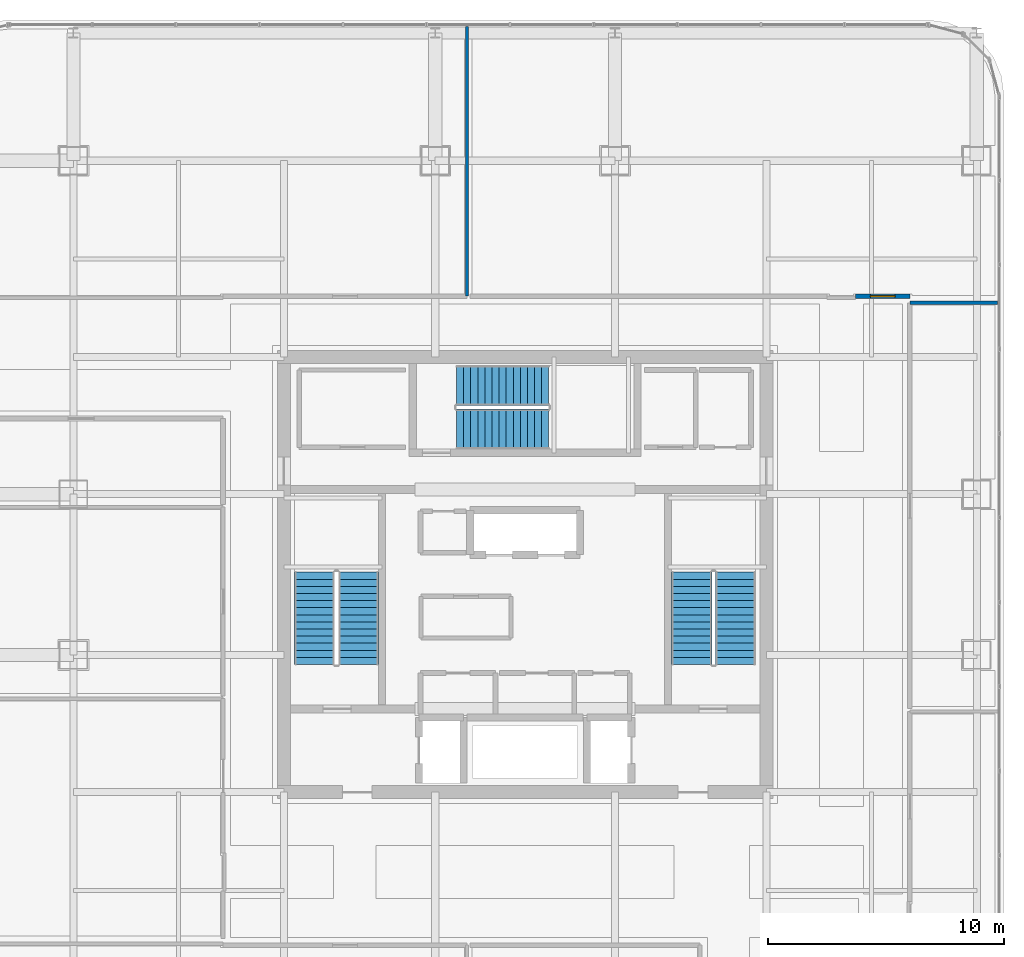
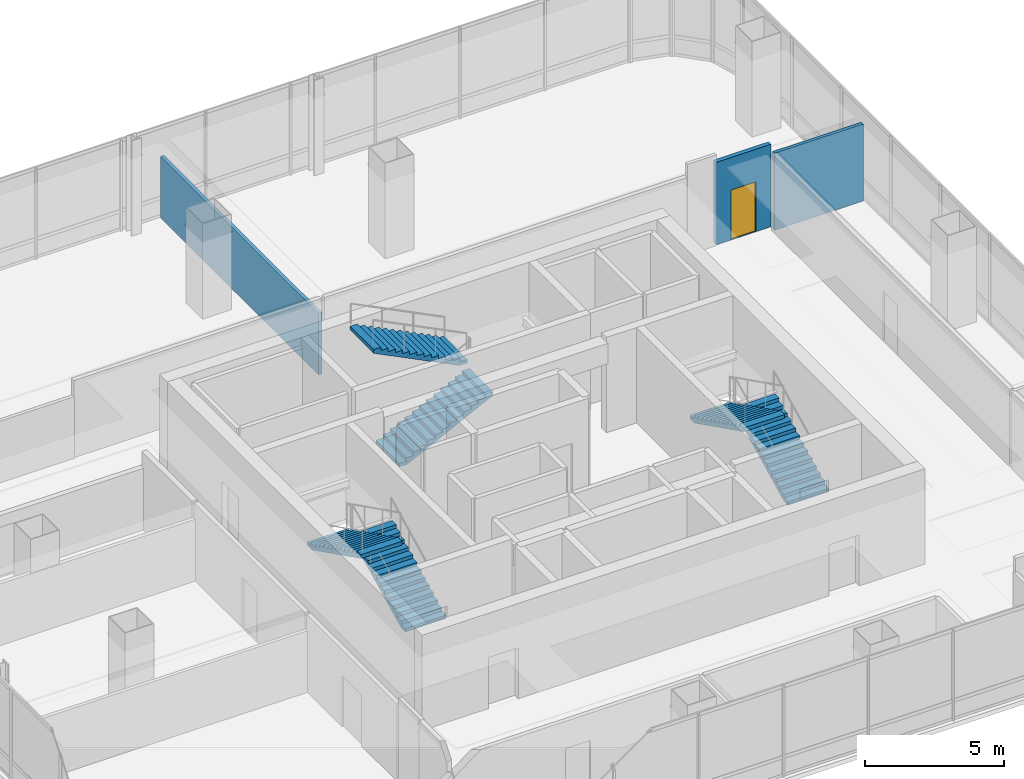
# One storey, part 36 of 41: 6 stair flights, 3 walls, 1 door, 1 opening, 3 elements without a shape of their own.
"""IFC4 building model written with IfcOpenShell, lengths in metres."""

from ifc_helpers import new_model, si_unit, direction, frame, frame_2d, origin, place, context, subcontext, project, spatial, polyline, rectangle, outline, extrude, material, layer, layer_set, type_object, element, fill, aggregate, save


model = new_model("IFC4")

# Units and contexts
model_context = context("Model", 3, precision=1e-05, world=origin(), true_north=direction((0.0, 1.0)))
body_context = subcontext(model_context, "Body", "Model", "MODEL_VIEW")
ifc_project = project(units=[si_unit("LENGTHUNIT", "METRE"), si_unit("AREAUNIT", "SQUARE_METRE"), si_unit("VOLUMEUNIT", "CUBIC_METRE"), si_unit("PLANEANGLEUNIT", "RADIAN"), si_unit("MASSUNIT", "GRAM", prefix="KILO")], contexts=[model_context])

# Site, building, storey
site_placement = place(None, origin())
site = spatial("IfcSite", under=ifc_project, at=site_placement, CompositionType="ELEMENT")
building_placement = place(site_placement, origin())
building = spatial("IfcBuilding", under=site, at=building_placement, Name="Punatoya Terracotta Tower", CompositionType="ELEMENT")
storey_placement = place(building_placement, frame((0.0, 0.0, 309.0)))
storey = spatial("IfcBuildingStorey", under=building, at=storey_placement, Name="L73", CompositionType="ELEMENT", Elevation=309.0)

# Wall, opening, door
ifc_material_1 = material(Name="Gypsum Fireboard + Steel Stud", Category="steel")
ifc_layer_1 = layer(ifc_material_1, 0.179931640625)
ifc_layer_set_1 = layer_set([ifc_layer_1], Name="Gypsum Fireboard + Steel Stud")
wall_type_1 = type_object("IfcWallType", Name="WL-CORR-180", PredefinedType="PARTITIONING", material=ifc_layer_set_1)
wall_1_placement = place(storey_placement, frame((16.27001953125, 11.77001953125, 0.0), z_axis=(0.0, 0.0, 1.0), x_axis=(-1.0, 0.0, 0.0)))
wall_1 = element("IfcWall", 1, at=wall_1_placement, inside=storey, type_object=wall_type_1, Name="L73 Urban Analytics Laboratory Partition 48", PredefinedType="PARTITIONING", context=body_context, shape_type="SweptSolid", body=[
    extrude(rectangle(XDim=2.2900390625, YDim=0.179931640625, at=frame_2d((1.14501953125, 0.0))), origin(), (0.0, 0.0, 1.0), 3.634033203125),
])
opening_placement = place(wall_1_placement, frame((0.6201171875, 0.0, 0.0)))
opening = element("IfcOpeningElement", 2, at=opening_placement, cuts=wall_1, Name="Opening OD-01", PredefinedType="OPENING", context=body_context, shape_type="SweptSolid", body=[
    extrude(rectangle(XDim=1.050048828125, YDim=2.199951171875, at=frame_2d((0.52490234375, 1.10009765625))), frame((0.0, 0.099853515625, 0.0), z_axis=(0.0, -1.0, 0.0), x_axis=(1.0, 0.0, 0.0)), (0.0, 0.0, 1.0), 0.199951171875),
])
ifc_material_2 = material(Name="Bengal Teak Solid-Core Leaf")
door_type = type_object("IfcDoorType", Name="DR-OFF-1050", OperationType="NOTDEFINED", PredefinedType="DOOR", material=ifc_material_2)
door_placement = place(opening_placement, origin())
door = element("IfcDoor", 3, at=door_placement, inside=storey, type_object=door_type, Name="L73 Urban Analytics Laboratory Door", OperationType="SINGLE_SWING_RIGHT", OverallHeight=2.199951171875, OverallWidth=1.050048828125, PredefinedType="DOOR", context=body_context, shape_type="SweptSolid", body=[
    extrude(rectangle(XDim=1.050048828125, YDim=2.199951171875, at=frame_2d((0.52490234375, 1.10009765625))), frame((0.0, 0.02490234375, 0.0), z_axis=(0.0, -1.0, 0.0), x_axis=(1.0, 0.0, 0.0)), (0.0, 0.0, 1.0), 0.050048828125),
])
fill(opening, door)

# Walls
ifc_material_3 = material(Name="Acoustic Gypsum + Steel Stud", Category="steel")
ifc_layer_2 = layer(ifc_material_3, 0.139892578125)
ifc_layer_set_2 = layer_set([ifc_layer_2], Name="Acoustic Gypsum + Steel Stud")
wall_type_2 = type_object("IfcWallType", Name="WL-OFF-140", PredefinedType="PARTITIONING", material=ifc_layer_set_2)
wall_2_placement = place(storey_placement, frame((16.27001953125, 11.489990234375, 0.0), z_axis=(0.0, 0.0, 1.0), x_axis=(1.0, 0.0, 0.0)))
element("IfcWall", 4, at=wall_2_placement, inside=storey, type_object=wall_type_2, Name="L73 Open-Plan Wellness Rest Room Partition 42", PredefinedType="PARTITIONING", context=body_context, shape_type="SweptSolid", body=[
    extrude(rectangle(XDim=3.699951171875, YDim=0.139892578125, at=frame_2d((1.85009765625, 0.0))), origin(), (0.0, 0.0, 1.0), 3.39404296875),
])
wall_3_placement = place(storey_placement, frame((-2.4599609375, 23.169921875, 0.0), z_axis=(0.0, 0.0, 1.0), x_axis=(0.0, -1.0, 0.0)))
element("IfcWall", 5, at=wall_3_placement, inside=storey, type_object=wall_type_2, Name="L73 Hydrology Modelling Laboratory Partition 45", PredefinedType="PARTITIONING", context=body_context, shape_type="SweptSolid", body=[
    extrude(rectangle(XDim=11.39990234375, YDim=0.139892578125, at=frame_2d((5.699951171875, 0.0))), origin(), (0.0, 0.0, 1.0), 2.714111328125),
])

# Stair, stair flights
ifc_material_4 = material(Name="Concrete C40/50", Category="concrete")
stair_type_1 = type_object("IfcStairType", Name="STR-CORE-1550", PredefinedType="HALF_TURN_STAIR", material=ifc_material_4)
stair_1_placement = place(storey_placement, origin())
stair_1 = element("IfcStair", 6, at=stair_1_placement, inside=storey, type_object=stair_type_1, Name="L73 Protected Core Exit Stair ST-1", PredefinedType="HALF_TURN_STAIR")
stair_flight_type_1 = type_object("IfcStairFlightType", Name="SFL-CORE-1550", PredefinedType="STRAIGHT", material=ifc_material_4)
stair_flight_1_placement = place(storey_placement, frame((-7.050048828125, -3.800048828125, 0.0), z_axis=(0.0, 0.0, 1.0), x_axis=(0.0, 1.0, 0.0)))
stair_flight_1 = element("IfcStairFlight", 7, at=stair_flight_1_placement, type_object=stair_flight_type_1, Name="ST-1 flight 1", NumberOfRisers=14, NumberOfTreads=13, PredefinedType="STRAIGHT", RiserHeight=0.15, TreadLength=0.3, context=body_context, shape_type="SweptSolid", body=[
    extrude(outline(polyline([(0.0, 0.0), (0.0, 0.14990234375), (0.300048828125, 0.14990234375), (0.300048828125, 0.300048828125), (0.60009765625, 0.300048828125), (0.60009765625, 0.449951171875), (0.89990234375, 0.449951171875), (0.89990234375, 0.60009765625), (1.199951171875, 0.60009765625), (1.199951171875, 0.75), (1.5, 0.75), (1.5, 0.89990234375), (1.800048828125, 0.89990234375), (1.800048828125, 1.050048828125), (2.10009765625, 1.050048828125), (2.10009765625, 1.199951171875), (2.39990234375, 1.199951171875), (2.39990234375, 1.35009765625), (2.699951171875, 1.35009765625), (2.699951171875, 1.5), (3.0, 1.5), (3.0, 1.64990234375), (3.300048828125, 1.64990234375), (3.300048828125, 1.800048828125), (3.60009765625, 1.800048828125), (3.60009765625, 1.949951171875), (3.89990234375, 1.949951171875), (3.89990234375, 2.10009765625), (3.89990234375, 1.782470703125), (0.335205078125, 0.0), (0.0, 0.0)])), frame((0.0, 0.85009765625, 0.0), z_axis=(0.0, -1.0, 0.0), x_axis=(1.0, 0.0, 0.0)), (0.0, 0.0, 1.0), 1.699951171875),
])
stair_flight_2_placement = place(storey_placement, frame((-8.89990234375, 0.10009765625, 2.10009765625), z_axis=(0.0, 0.0, 1.0), x_axis=(0.0, -1.0, 0.0)))
stair_flight_2 = element("IfcStairFlight", 8, at=stair_flight_2_placement, type_object=stair_flight_type_1, Name="ST-1 flight 2", NumberOfRisers=14, NumberOfTreads=13, PredefinedType="STRAIGHT", RiserHeight=0.15, TreadLength=0.3, context=body_context, shape_type="SweptSolid", body=[
    extrude(outline(polyline([(0.0, 0.0), (0.0, 0.14990234375), (0.300048828125, 0.14990234375), (0.300048828125, 0.300048828125), (0.60009765625, 0.300048828125), (0.60009765625, 0.449951171875), (0.89990234375, 0.449951171875), (0.89990234375, 0.60009765625), (1.199951171875, 0.60009765625), (1.199951171875, 0.75), (1.5, 0.75), (1.5, 0.89990234375), (1.800048828125, 0.89990234375), (1.800048828125, 1.050048828125), (2.10009765625, 1.050048828125), (2.10009765625, 1.199951171875), (2.39990234375, 1.199951171875), (2.39990234375, 1.35009765625), (2.699951171875, 1.35009765625), (2.699951171875, 1.5), (3.0, 1.5), (3.0, 1.64990234375), (3.300048828125, 1.64990234375), (3.300048828125, 1.800048828125), (3.60009765625, 1.800048828125), (3.60009765625, 1.949951171875), (3.89990234375, 1.949951171875), (3.89990234375, 2.10009765625), (3.89990234375, 1.782470703125), (0.335205078125, 0.0), (0.0, 0.0)])), frame((0.0, 0.85009765625, 0.0), z_axis=(0.0, -1.0, 0.0), x_axis=(1.0, 0.0, 0.0)), (0.0, 0.0, 1.0), 1.699951171875),
])
aggregate(stair_1, [stair_flight_1, stair_flight_2])

stair_type_2 = type_object("IfcStairType", Name="STR-LOB-1650", PredefinedType="HALF_TURN_STAIR", material=ifc_material_4)
stair_2_placement = place(storey_placement, origin())
stair_2 = element("IfcStair", 9, at=stair_2_placement, inside=storey, type_object=stair_type_2, Name="L73 Protected Core Exit Stair ST-2", PredefinedType="HALF_TURN_STAIR")
stair_flight_type_2 = type_object("IfcStairFlightType", Name="SFL-LOB-1650", PredefinedType="STRAIGHT", material=ifc_material_4)
stair_flight_3_placement = place(storey_placement, frame((8.89990234375, -3.800048828125, 0.0), z_axis=(0.0, 0.0, 1.0), x_axis=(0.0, 1.0, 0.0)))
stair_flight_3 = element("IfcStairFlight", 10, at=stair_flight_3_placement, type_object=stair_flight_type_2, Name="ST-2 flight 1", NumberOfRisers=14, NumberOfTreads=13, PredefinedType="STRAIGHT", RiserHeight=0.15, TreadLength=0.3, context=body_context, shape_type="SweptSolid", body=[
    extrude(outline(polyline([(0.0, 0.0), (0.0, 0.14990234375), (0.300048828125, 0.14990234375), (0.300048828125, 0.300048828125), (0.60009765625, 0.300048828125), (0.60009765625, 0.449951171875), (0.89990234375, 0.449951171875), (0.89990234375, 0.60009765625), (1.199951171875, 0.60009765625), (1.199951171875, 0.75), (1.5, 0.75), (1.5, 0.89990234375), (1.800048828125, 0.89990234375), (1.800048828125, 1.050048828125), (2.10009765625, 1.050048828125), (2.10009765625, 1.199951171875), (2.39990234375, 1.199951171875), (2.39990234375, 1.35009765625), (2.699951171875, 1.35009765625), (2.699951171875, 1.5), (3.0, 1.5), (3.0, 1.64990234375), (3.300048828125, 1.64990234375), (3.300048828125, 1.800048828125), (3.60009765625, 1.800048828125), (3.60009765625, 1.949951171875), (3.89990234375, 1.949951171875), (3.89990234375, 2.10009765625), (3.89990234375, 1.782470703125), (0.335205078125, 0.0), (0.0, 0.0)])), frame((0.0, 0.85009765625, 0.0), z_axis=(0.0, -1.0, 0.0), x_axis=(1.0, 0.0, 0.0)), (0.0, 0.0, 1.0), 1.699951171875),
])
stair_flight_4_placement = place(storey_placement, frame((7.050048828125, 0.10009765625, 2.10009765625), z_axis=(0.0, 0.0, 1.0), x_axis=(0.0, -1.0, 0.0)))
stair_flight_4 = element("IfcStairFlight", 11, at=stair_flight_4_placement, type_object=stair_flight_type_2, Name="ST-2 flight 2", NumberOfRisers=14, NumberOfTreads=13, PredefinedType="STRAIGHT", RiserHeight=0.15, TreadLength=0.3, context=body_context, shape_type="SweptSolid", body=[
    extrude(outline(polyline([(0.0, 0.0), (0.0, 0.14990234375), (0.300048828125, 0.14990234375), (0.300048828125, 0.300048828125), (0.60009765625, 0.300048828125), (0.60009765625, 0.449951171875), (0.89990234375, 0.449951171875), (0.89990234375, 0.60009765625), (1.199951171875, 0.60009765625), (1.199951171875, 0.75), (1.5, 0.75), (1.5, 0.89990234375), (1.800048828125, 0.89990234375), (1.800048828125, 1.050048828125), (2.10009765625, 1.050048828125), (2.10009765625, 1.199951171875), (2.39990234375, 1.199951171875), (2.39990234375, 1.35009765625), (2.699951171875, 1.35009765625), (2.699951171875, 1.5), (3.0, 1.5), (3.0, 1.64990234375), (3.300048828125, 1.64990234375), (3.300048828125, 1.800048828125), (3.60009765625, 1.800048828125), (3.60009765625, 1.949951171875), (3.89990234375, 1.949951171875), (3.89990234375, 2.10009765625), (3.89990234375, 1.782470703125), (0.335205078125, 0.0), (0.0, 0.0)])), frame((0.0, 0.85009765625, 0.0), z_axis=(0.0, -1.0, 0.0), x_axis=(1.0, 0.0, 0.0)), (0.0, 0.0, 1.0), 1.699951171875),
])
aggregate(stair_2, [stair_flight_3, stair_flight_4])

stair_type_3 = type_object("IfcStairType", Name="STR-TER-1450", PredefinedType="HALF_TURN_STAIR", material=ifc_material_4)
stair_3_placement = place(storey_placement, origin())
stair_3 = element("IfcStair", 12, at=stair_3_placement, inside=storey, type_object=stair_type_3, Name="L73 Protected Core Exit Stair ST-3", PredefinedType="HALF_TURN_STAIR")
stair_flight_type_3 = type_object("IfcStairFlightType", Name="SFL-TER-1450", PredefinedType="STRAIGHT", material=ifc_material_4)
stair_flight_5_placement = place(storey_placement, frame((-2.89990234375, 6.14990234375, 0.0), z_axis=(0.0, 0.0, 1.0), x_axis=(1.0, 0.0, 0.0)))
stair_flight_5 = element("IfcStairFlight", 13, at=stair_flight_5_placement, type_object=stair_flight_type_3, Name="ST-3 flight 1", NumberOfRisers=14, NumberOfTreads=13, PredefinedType="STRAIGHT", RiserHeight=0.15, TreadLength=0.3, context=body_context, shape_type="SweptSolid", body=[
    extrude(outline(polyline([(0.0, 0.0), (0.0, 0.14990234375), (0.300048828125, 0.14990234375), (0.300048828125, 0.300048828125), (0.60009765625, 0.300048828125), (0.60009765625, 0.449951171875), (0.89990234375, 0.449951171875), (0.89990234375, 0.60009765625), (1.199951171875, 0.60009765625), (1.199951171875, 0.75), (1.5, 0.75), (1.5, 0.89990234375), (1.800048828125, 0.89990234375), (1.800048828125, 1.050048828125), (2.10009765625, 1.050048828125), (2.10009765625, 1.199951171875), (2.39990234375, 1.199951171875), (2.39990234375, 1.35009765625), (2.699951171875, 1.35009765625), (2.699951171875, 1.5), (3.0, 1.5), (3.0, 1.64990234375), (3.300048828125, 1.64990234375), (3.300048828125, 1.800048828125), (3.60009765625, 1.800048828125), (3.60009765625, 1.949951171875), (3.89990234375, 1.949951171875), (3.89990234375, 2.10009765625), (3.89990234375, 1.782470703125), (0.335205078125, 0.0), (0.0, 0.0)])), frame((0.0, 0.85009765625, 0.0), z_axis=(0.0, -1.0, 0.0), x_axis=(1.0, 0.0, 0.0)), (0.0, 0.0, 1.0), 1.699951171875),
])
stair_flight_6_placement = place(storey_placement, frame((1.0, 8.0, 2.10009765625), z_axis=(0.0, 0.0, 1.0), x_axis=(-1.0, 0.0, 0.0)))
stair_flight_6 = element("IfcStairFlight", 14, at=stair_flight_6_placement, type_object=stair_flight_type_3, Name="ST-3 flight 2", NumberOfRisers=14, NumberOfTreads=13, PredefinedType="STRAIGHT", RiserHeight=0.15, TreadLength=0.3, context=body_context, shape_type="SweptSolid", body=[
    extrude(outline(polyline([(0.0, 0.0), (0.0, 0.14990234375), (0.300048828125, 0.14990234375), (0.300048828125, 0.300048828125), (0.60009765625, 0.300048828125), (0.60009765625, 0.449951171875), (0.89990234375, 0.449951171875), (0.89990234375, 0.60009765625), (1.199951171875, 0.60009765625), (1.199951171875, 0.75), (1.5, 0.75), (1.5, 0.89990234375), (1.800048828125, 0.89990234375), (1.800048828125, 1.050048828125), (2.10009765625, 1.050048828125), (2.10009765625, 1.199951171875), (2.39990234375, 1.199951171875), (2.39990234375, 1.35009765625), (2.699951171875, 1.35009765625), (2.699951171875, 1.5), (3.0, 1.5), (3.0, 1.64990234375), (3.300048828125, 1.64990234375), (3.300048828125, 1.800048828125), (3.60009765625, 1.800048828125), (3.60009765625, 1.949951171875), (3.89990234375, 1.949951171875), (3.89990234375, 2.10009765625), (3.89990234375, 1.782470703125), (0.335205078125, 0.0), (0.0, 0.0)])), frame((0.0, 0.85009765625, 0.0), z_axis=(0.0, -1.0, 0.0), x_axis=(1.0, 0.0, 0.0)), (0.0, 0.0, 1.0), 1.699951171875),
])
aggregate(stair_3, [stair_flight_5, stair_flight_6])

save(model, "model.ifc")
